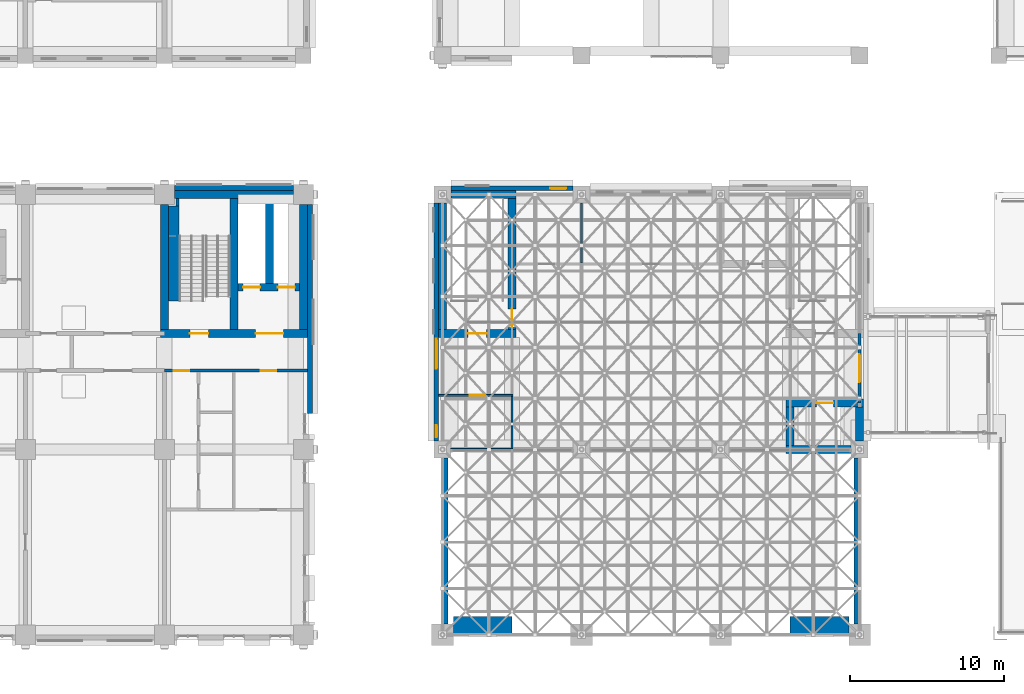
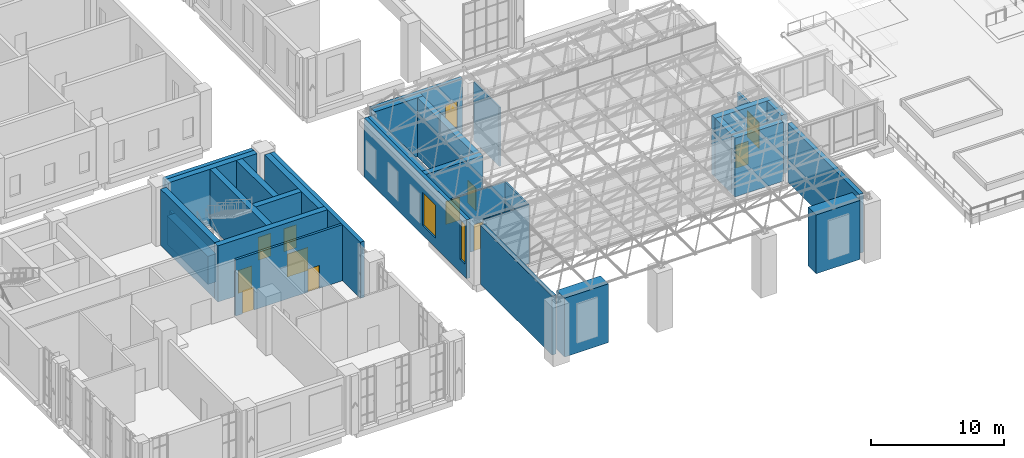
# One storey, part 27 of 53: 31 walls, 11 doors, 3 windows, 14 openings.
"""IFC4 building model written with IfcOpenShell, lengths in metres."""

from ifc_helpers import new_model, si_unit, direction, frame, frame_2d, origin, place, context, subcontext, project, spatial, rectangle, extrude, material, layer, layer_set, type_object, element, fill, save


model = new_model("IFC4")

# Units and contexts
model_context = context("Model", 3, precision=1e-05, world=origin(), true_north=direction((0.0, 1.0)))
body_context = subcontext(model_context, "Body", "Model", "MODEL_VIEW")
ifc_project = project(units=[si_unit("LENGTHUNIT", "METRE"), si_unit("AREAUNIT", "SQUARE_METRE"), si_unit("VOLUMEUNIT", "CUBIC_METRE"), si_unit("PLANEANGLEUNIT", "RADIAN"), si_unit("MASSUNIT", "GRAM", prefix="KILO")], contexts=[model_context])

# Site, building, storey
site_placement = place(None, origin())
site = spatial("IfcSite", under=ifc_project, at=site_placement, CompositionType="ELEMENT")
building_placement = place(site_placement, origin())
building = spatial("IfcBuilding", under=site, at=building_placement, Name="Aurelan Courthouse", CompositionType="ELEMENT")
storey_placement = place(building_placement, frame((0.0, 0.0, 12.0)))
storey = spatial("IfcBuildingStorey", under=building, at=storey_placement, Name="L02", CompositionType="ELEMENT", Elevation=12.0)

# Wall, opening, window
ifc_material_1 = material(Name="Limestone cladding", Category="masonry")
ifc_layer_1 = layer(ifc_material_1, 0.0849609375, Name="Facing")
ifc_material_2 = material(Name="Ventilated cavity")
ifc_layer_2 = layer(ifc_material_2, 0.02490234375, ventilated=True, Name="Ventilated cavity")
ifc_material_3 = material(Name="Mineral wool insulation")
ifc_layer_3 = layer(ifc_material_3, 0.044921875, Name="Insulation")
ifc_material_4 = material(Name="Concrete C30", Category="concrete")
ifc_layer_4 = layer(ifc_material_4, 0.14501953125, Name="Structure")
ifc_layer_set_1 = layer_set([ifc_layer_1, ifc_layer_2, ifc_layer_3, ifc_layer_4], Name="Concrete C30")
wall_type_1 = type_object("IfcWallType", Name="Ceremonial Court stone-faced wall 300", PredefinedType="SOLIDWALL", material=ifc_layer_set_1)
wall_1_placement = place(storey_placement, frame((36.550048828125, 28.89990234375, 0.0), z_axis=(0.0, 0.0, 1.0), x_axis=(1.0, 0.0, 0.0)))
wall_1 = element("IfcWall", 1, at=wall_1_placement, inside=storey, type_object=wall_type_1, Name="Facade wall FW-V1-L02-001", PredefinedType="SOLIDWALL", context=body_context, shape_type="SweptSolid", body=[
    extrude(rectangle(XDim=7.89990234375, YDim=0.300048828125, at=frame_2d((3.949951171875, 0.0))), origin(), (0.0, 0.0, 1.0), 5.39990234375),
])
opening_1_placement = place(wall_1_placement, frame((6.425048828125, 0.0, 1.050048828125)))
opening_1 = element("IfcOpeningElement", 2, at=opening_1_placement, cuts=wall_1, Name="Opening WN-V1-L02-001", PredefinedType="OPENING", context=body_context, shape_type="SweptSolid", body=[
    extrude(rectangle(XDim=1.050048828125, YDim=2.39990234375, at=frame_2d((0.52490234375, 1.199951171875))), frame((0.0, 0.159912109375, 0.0), z_axis=(0.0, -1.0, 0.0), x_axis=(1.0, 0.0, 0.0)), (0.0, 0.0, 1.0), 0.320068359375),
])
ifc_material_5 = material(Name="Bronze-finished aluminium and glass", Category="aluminium")
window_type_1 = type_object("IfcWindowType", Name="Ceremonial Court window 1050 x 2400, sill 1050", PartitioningType="SINGLE_PANEL", PredefinedType="WINDOW", material=ifc_material_5)
window_1_placement = place(opening_1_placement, origin())
window_1 = element("IfcWindow", 3, at=window_1_placement, inside=storey, type_object=window_type_1, Name="Window WN-V1-L02-001", OverallHeight=2.39990234375, OverallWidth=1.050048828125, PartitioningType="SINGLE_PANEL", PredefinedType="WINDOW", context=body_context, shape_type="SweptSolid", body=[
    extrude(rectangle(XDim=1.050048828125, YDim=2.39990234375, at=frame_2d((0.52490234375, 1.199951171875))), frame((0.0, 0.030029296875, 0.0), z_axis=(0.0, -1.0, 0.0), x_axis=(1.0, 0.0, 0.0)), (0.0, 0.0, 1.0), 0.06005859375),
])
fill(opening_1, window_1)

# Wall, openings, windows
wall_2_placement = place(storey_placement, frame((35.60009765625, 12.550048828125, 0.0), z_axis=(0.0, 0.0, 1.0), x_axis=(0.0, 1.0, 0.0)))
wall_2 = element("IfcWall", 4, at=wall_2_placement, inside=storey, type_object=wall_type_1, Name="Facade wall FW-V1-L02-005", PredefinedType="SOLIDWALL", context=body_context, shape_type="SweptSolid", body=[
    extrude(rectangle(XDim=15.39990234375, YDim=0.300048828125, at=frame_2d((7.699951171875, 0.0))), origin(), (0.0, 0.0, 1.0), 5.39990234375),
])
opening_2_placement = place(wall_2_placement, frame((4.66259765625, 0.0, 0.89990234375)))
opening_2 = element("IfcOpeningElement", 5, at=opening_2_placement, cuts=wall_2, Name="Opening WN-V1-L02-005", PredefinedType="OPENING", context=body_context, shape_type="SweptSolid", body=[
    extrude(rectangle(XDim=1.949951171875, YDim=3.0, at=frame_2d((0.97509765625, 1.5))), frame((0.0, 0.159912109375, 0.0), z_axis=(0.0, -1.0, 0.0), x_axis=(1.0, 0.0, 0.0)), (0.0, 0.0, 1.0), 0.320068359375),
])
opening_3_placement = place(wall_2_placement, frame((0.253662109375, 0.0, 1.199951171875)))
opening_3 = element("IfcOpeningElement", 6, at=opening_3_placement, cuts=wall_2, Name="Opening WN-V1-L02-006", PredefinedType="OPENING", context=body_context, shape_type="SweptSolid", body=[
    extrude(rectangle(XDim=0.75, YDim=3.60009765625, at=frame_2d((0.375, 1.800048828125))), frame((0.0, 0.159912109375, 0.0), z_axis=(0.0, -1.0, 0.0), x_axis=(1.0, 0.0, 0.0)), (0.0, 0.0, 1.0), 0.320068359375),
])
window_type_2 = type_object("IfcWindowType", Name="Ceremonial Court slit window 750 x 3600, sill 1200", PartitioningType="SINGLE_PANEL", PredefinedType="WINDOW", material=ifc_material_5)
window_2_placement = place(opening_3_placement, origin())
window_2 = element("IfcWindow", 7, at=window_2_placement, inside=storey, type_object=window_type_2, Name="Slit window WN-V1-L02-006", OverallHeight=3.60009765625, OverallWidth=0.75, PartitioningType="SINGLE_PANEL", PredefinedType="WINDOW", context=body_context, shape_type="SweptSolid", body=[
    extrude(rectangle(XDim=0.75, YDim=3.60009765625, at=frame_2d((0.375, 1.800048828125))), frame((0.0, 0.030029296875, 0.0), z_axis=(0.0, -1.0, 0.0), x_axis=(1.0, 0.0, 0.0)), (0.0, 0.0, 1.0), 0.06005859375),
])
fill(opening_3, window_2)
window_type_3 = type_object("IfcWindowType", Name="Ceremonial Court window 1950 x 3000, sill 900", PartitioningType="SINGLE_PANEL", PredefinedType="WINDOW", material=ifc_material_5)
window_3_placement = place(opening_2_placement, origin())
window_3 = element("IfcWindow", 8, at=window_3_placement, inside=storey, type_object=window_type_3, Name="Window WN-V1-L02-005", OverallHeight=3.0, OverallWidth=1.949951171875, PartitioningType="SINGLE_PANEL", PredefinedType="WINDOW", context=body_context, shape_type="SweptSolid", body=[
    extrude(rectangle(XDim=1.949951171875, YDim=3.0, at=frame_2d((0.97509765625, 1.5))), frame((0.0, 0.030029296875, 0.0), z_axis=(0.0, -1.0, 0.0), x_axis=(1.0, 0.0, 0.0)), (0.0, 0.0, 1.0), 0.06005859375),
])
fill(opening_2, window_3)

# Walls
ifc_layer_5 = layer(ifc_material_1, 0.10009765625, Name="Facing")
ifc_layer_6 = layer(ifc_material_2, 0.02490234375, ventilated=True, Name="Ventilated cavity")
ifc_layer_7 = layer(ifc_material_3, 0.050048828125, Name="Insulation")
ifc_layer_8 = layer(ifc_material_4, 0.175048828125, Name="Structure")
ifc_layer_set_2 = layer_set([ifc_layer_5, ifc_layer_6, ifc_layer_7, ifc_layer_8], Name="Concrete C30")
wall_type_2 = type_object("IfcWallType", Name="Courts' Floors stone-faced wall 350", PredefinedType="SOLIDWALL", material=ifc_layer_set_2)
wall_3_placement = place(storey_placement, frame((18.64990234375, 28.925048828125, 0.0), z_axis=(0.0, 0.0, 1.0), x_axis=(1.0, 0.0, 0.0)))
element("IfcWall", 9, at=wall_3_placement, inside=storey, type_object=wall_type_2, Name="Facade wall FW-V5-L02-011", PredefinedType="SOLIDWALL", context=body_context, shape_type="SweptSolid", body=[
    extrude(rectangle(XDim=7.7001953125, YDim=0.35009765625, at=frame_2d((3.85009765625, 0.0))), origin(), (0.0, 0.0, 1.0), 5.14990234375),
])
wall_4_placement = place(storey_placement, frame((27.425048828125, 14.324951171875, 0.0), z_axis=(0.0, 0.0, 1.0), x_axis=(0.0, 1.0, 0.0)))
element("IfcWall", 10, at=wall_4_placement, inside=storey, type_object=wall_type_2, Name="Facade wall FW-V5-L02-017", PredefinedType="SOLIDWALL", context=body_context, shape_type="SweptSolid", body=[
    extrude(rectangle(XDim=13.525146484375, YDim=0.35009765625, at=frame_2d((6.7626953125, 0.0))), origin(), (0.0, 0.0, 1.0), 5.14990234375),
])

# Wall, openings, doors
ifc_material_6 = material(Name="Masonry block", Category="masonry")
ifc_layer_9 = layer(ifc_material_6, 0.199951171875)
ifc_layer_set_3 = layer_set([ifc_layer_9], Name="Masonry block")
wall_type_3 = type_object("IfcWallType", Name="Lift lobby wall 200 EI 60", PredefinedType="PARTITIONING", material=ifc_layer_set_3)
wall_5_placement = place(storey_placement, frame((18.0, 17.10009765625, 0.0), z_axis=(0.0, 0.0, 1.0), x_axis=(1.0, 0.0, 0.0)))
wall_5 = element("IfcWall", 11, at=wall_5_placement, inside=storey, type_object=wall_type_3, Name="Lift lobby wall L02-012", PredefinedType="PARTITIONING", context=body_context, shape_type="SweptSolid", body=[
    extrude(rectangle(XDim=9.25, YDim=0.199951171875, at=frame_2d((4.625, 0.0))), origin(), (0.0, 0.0, 1.0), 5.14990234375),
])
opening_4_placement = place(wall_5_placement, frame((7.25, 0.0, 0.0), z_axis=(0.0, 0.0, 1.0), x_axis=(-1.0, 0.0, 0.0)))
opening_4 = element("IfcOpeningElement", 12, at=opening_4_placement, cuts=wall_5, Name="Opening D-L02-067", PredefinedType="OPENING", context=body_context, shape_type="SweptSolid", body=[
    extrude(rectangle(XDim=1.0, YDim=2.10009765625, at=frame_2d((0.5, 1.050048828125))), frame((0.0, 0.10986328125, 0.0), z_axis=(0.0, -1.0, 0.0), x_axis=(1.0, 0.0, 0.0)), (0.0, 0.0, 1.0), 0.219970703125),
])
opening_5_placement = place(wall_5_placement, frame((0.60009765625, 0.0, 0.0)))
opening_5 = element("IfcOpeningElement", 13, at=opening_5_placement, cuts=wall_5, Name="Opening D-L02-068", PredefinedType="OPENING", context=body_context, shape_type="SweptSolid", body=[
    extrude(rectangle(XDim=1.0, YDim=2.10009765625, at=frame_2d((0.5, 1.050048828125))), frame((0.0, 0.10986328125, 0.0), z_axis=(0.0, -1.0, 0.0), x_axis=(1.0, 0.0, 0.0)), (0.0, 0.0, 1.0), 0.219970703125),
])
ifc_material_7 = material(Name="Steel", Category="steel")
door_type_1 = type_object("IfcDoorType", Name="Single door 1000 x 2100 FD60", OperationType="SINGLE_SWING_LEFT", PredefinedType="DOOR", material=ifc_material_7)
door_1_placement = place(opening_4_placement, origin())
door_1 = element("IfcDoor", 14, at=door_1_placement, inside=storey, type_object=door_type_1, Name="Single door D-L02-067", OperationType="SINGLE_SWING_RIGHT", OverallHeight=2.10009765625, OverallWidth=1.0, PredefinedType="DOOR", context=body_context, shape_type="SweptSolid", body=[
    extrude(rectangle(XDim=1.0, YDim=2.10009765625, at=frame_2d((0.5, 1.050048828125))), frame((0.0, 0.02490234375, 0.0), z_axis=(0.0, -1.0, 0.0), x_axis=(1.0, 0.0, 0.0)), (0.0, 0.0, 1.0), 0.050048828125),
])
fill(opening_4, door_1)
door_2_placement = place(opening_5_placement, origin())
door_2 = element("IfcDoor", 15, at=door_2_placement, inside=storey, type_object=door_type_1, Name="Single door D-L02-068", OperationType="SINGLE_SWING_LEFT", OverallHeight=2.10009765625, OverallWidth=1.0, PredefinedType="DOOR", context=body_context, shape_type="SweptSolid", body=[
    extrude(rectangle(XDim=1.0, YDim=2.10009765625, at=frame_2d((0.5, 1.050048828125))), frame((0.0, 0.02490234375, 0.0), z_axis=(0.0, -1.0, 0.0), x_axis=(1.0, 0.0, 0.0)), (0.0, 0.0, 1.0), 0.050048828125),
])
fill(opening_5, door_2)

# Wall
ifc_material_8 = material(Name="Gypsum board on metal studs")
ifc_layer_10 = layer(ifc_material_8, 0.14990234375)
ifc_layer_set_4 = layer_set([ifc_layer_10], Name="Gypsum board on metal studs")
wall_type_4 = type_object("IfcWallType", Name="Partition 150 NOT RATED", PredefinedType="PARTITIONING", material=ifc_layer_set_4)
wall_6_placement = place(storey_placement, frame((45.0, 24.074951171875, 0.0), z_axis=(0.0, 0.0, 1.0), x_axis=(0.0, 1.0, 0.0)))
element("IfcWall", 16, at=wall_6_placement, inside=storey, type_object=wall_type_4, Name="Partition L02-069", PredefinedType="PARTITIONING", context=body_context, shape_type="SweptSolid", body=[
    extrude(rectangle(XDim=3.875, YDim=0.14990234375, at=frame_2d((1.9375, 0.0))), origin(), (0.0, 0.0, 1.0), 5.39990234375),
])

# Wall, opening, door
ifc_layer_11 = layer(ifc_material_6, 0.199951171875)
ifc_layer_set_5 = layer_set([ifc_layer_11], Name="Masonry block")
wall_type_5 = type_object("IfcWallType", Name="Passage lobby wall 200 EI 60", PredefinedType="PARTITIONING", material=ifc_layer_set_5)
wall_7_placement = place(storey_placement, frame((63.0, 15.0, 0.0), z_axis=(0.0, 0.0, 1.0), x_axis=(0.0, 1.0, 0.0)))
wall_7 = element("IfcWall", 17, at=wall_7_placement, inside=storey, type_object=wall_type_5, Name="Passage lobby wall L02-074", PredefinedType="PARTITIONING", context=body_context, shape_type="SweptSolid", body=[
    extrude(rectangle(XDim=4.5, YDim=0.199951171875, at=frame_2d((2.25, 0.0))), origin(), (0.0, 0.0, 1.0), 3.300048828125),
])
opening_6_placement = place(wall_7_placement, frame((1.35009765625, 0.0, 0.0)))
opening_6 = element("IfcOpeningElement", 18, at=opening_6_placement, cuts=wall_7, Name="Opening D-L02-093", PredefinedType="OPENING", context=body_context, shape_type="SweptSolid", body=[
    extrude(rectangle(XDim=1.800048828125, YDim=2.39990234375, at=frame_2d((0.89990234375, 1.199951171875))), frame((0.0, 0.10986328125, 0.0), z_axis=(0.0, -1.0, 0.0), x_axis=(1.0, 0.0, 0.0)), (0.0, 0.0, 1.0), 0.219970703125),
])
door_type_2 = type_object("IfcDoorType", Name="Double door 1800 x 2400 FD60", OperationType="DOUBLE_DOOR_SINGLE_SWING", PredefinedType="DOOR", material=ifc_material_7)
door_3_placement = place(opening_6_placement, origin())
door_3 = element("IfcDoor", 19, at=door_3_placement, inside=storey, type_object=door_type_2, Name="Double door D-L02-093", OperationType="DOUBLE_DOOR_SINGLE_SWING", OverallHeight=2.39990234375, OverallWidth=1.800048828125, PredefinedType="DOOR", context=body_context, shape_type="SweptSolid", body=[
    extrude(rectangle(XDim=1.800048828125, YDim=2.39990234375, at=frame_2d((0.89990234375, 1.199951171875))), frame((0.0, 0.02490234375, 0.0), z_axis=(0.0, -1.0, 0.0), x_axis=(1.0, 0.0, 0.0)), (0.0, 0.0, 1.0), 0.050048828125),
])
fill(opening_6, door_3)

# Walls
ifc_material_9 = material(Name="Concrete C50", Category="concrete")
ifc_layer_12 = layer(ifc_material_9, 0.5)
ifc_layer_set_6 = layer_set([ifc_layer_12], Name="Concrete C50")
wall_type_6 = type_object("IfcWallType", Name="RC shear wall 500", PredefinedType="SHEAR", material=ifc_layer_set_6)
wall_8_placement = place(storey_placement, frame((58.25, 12.0, 0.0), z_axis=(0.0, 0.0, 1.0), x_axis=(1.0, 0.0, 0.0)))
element("IfcWall", 20, at=wall_8_placement, inside=storey, type_object=wall_type_6, Name="Core wall SW-L02-001", PredefinedType="SHEAR", context=body_context, shape_type="SweptSolid", body=[
    extrude(rectangle(XDim=4.199951171875, YDim=0.5, at=frame_2d((2.10009765625, 0.0))), origin(), (0.0, 0.0, 1.0), 5.39990234375),
])
wall_9_placement = place(storey_placement, frame((58.5, 12.25, 0.0), z_axis=(0.0, 0.0, 1.0), x_axis=(0.0, 1.0, 0.0)))
element("IfcWall", 21, at=wall_9_placement, inside=storey, type_object=wall_type_6, Name="Core wall SW-L02-002", PredefinedType="SHEAR", context=body_context, shape_type="SweptSolid", body=[
    extrude(rectangle(XDim=2.5, YDim=0.5, at=frame_2d((1.25, 0.0))), origin(), (0.0, 0.0, 1.0), 5.39990234375),
])
wall_10_placement = place(storey_placement, frame((63.0, 12.550048828125, 0.0), z_axis=(0.0, 0.0, 1.0), x_axis=(0.0, 1.0, 0.0)))
element("IfcWall", 22, at=wall_10_placement, inside=storey, type_object=wall_type_6, Name="Core wall SW-L02-003", PredefinedType="SHEAR", context=body_context, shape_type="SweptSolid", body=[
    extrude(rectangle(XDim=2.199951171875, YDim=0.5, at=frame_2d((1.10009765625, 0.0))), origin(), (0.0, 0.0, 1.0), 5.39990234375),
])

# Wall, opening, door
wall_11_placement = place(storey_placement, frame((58.25, 15.0, 0.0), z_axis=(0.0, 0.0, 1.0), x_axis=(1.0, 0.0, 0.0)))
wall_11 = element("IfcWall", 23, at=wall_11_placement, inside=storey, type_object=wall_type_6, Name="Core wall SW-L02-004", PredefinedType="SHEAR", context=body_context, shape_type="SweptSolid", body=[
    extrude(rectangle(XDim=5.0, YDim=0.5, at=frame_2d((2.5, 0.0))), origin(), (0.0, 0.0, 1.0), 5.39990234375),
])
opening_7_placement = place(wall_11_placement, frame((1.949951171875, 0.0, 0.0)))
opening_7 = element("IfcOpeningElement", 24, at=opening_7_placement, cuts=wall_11, Name="Opening LD-V1-A1-L02", PredefinedType="OPENING", context=body_context, shape_type="SweptSolid", body=[
    extrude(rectangle(XDim=1.10009765625, YDim=2.10009765625, at=frame_2d((0.550048828125, 1.050048828125))), frame((0.0, 0.260009765625, 0.0), z_axis=(0.0, -1.0, 0.0), x_axis=(1.0, 0.0, 0.0)), (0.0, 0.0, 1.0), 0.52001953125),
])
door_type_3 = type_object("IfcDoorType", Name="Lift landing door 1100 x 2100 FD90", OperationType="SLIDING_TO_LEFT", PredefinedType="DOOR", material=ifc_material_7)
door_4_placement = place(opening_7_placement, origin())
door_4 = element("IfcDoor", 25, at=door_4_placement, inside=storey, type_object=door_type_3, Name="Lift landing door LD-V1-A1-L02", OperationType="SLIDING_TO_LEFT", OverallHeight=2.10009765625, OverallWidth=1.10009765625, PredefinedType="DOOR", context=body_context, shape_type="SweptSolid", body=[
    extrude(rectangle(XDim=1.10009765625, YDim=2.10009765625, at=frame_2d((0.550048828125, 1.050048828125))), frame((0.0, 0.02490234375, 0.0), z_axis=(0.0, -1.0, 0.0), x_axis=(1.0, 0.0, 0.0)), (0.0, 0.0, 1.0), 0.050048828125),
])
fill(opening_7, door_4)

# Wall, openings, doors
wall_12_placement = place(storey_placement, frame((17.75, 19.5, 0.0), z_axis=(0.0, 0.0, 1.0), x_axis=(1.0, 0.0, 0.0)))
wall_12 = element("IfcWall", 26, at=wall_12_placement, inside=storey, type_object=wall_type_6, Name="Core wall SW-L02-006", PredefinedType="SHEAR", context=body_context, shape_type="SweptSolid", body=[
    extrude(rectangle(XDim=9.5, YDim=0.5, at=frame_2d((4.75, 0.0))), origin(), (0.0, 0.0, 1.0), 5.14990234375),
])
opening_8_placement = place(wall_12_placement, frame((1.89990234375, 0.0, 0.0)))
opening_8 = element("IfcOpeningElement", 27, at=opening_8_placement, cuts=wall_12, Name="Opening D-L02-055", PredefinedType="OPENING", context=body_context, shape_type="SweptSolid", body=[
    extrude(rectangle(XDim=1.199951171875, YDim=2.10009765625, at=frame_2d((0.60009765625, 1.050048828125))), frame((0.0, 0.260009765625, 0.0), z_axis=(0.0, -1.0, 0.0), x_axis=(1.0, 0.0, 0.0)), (0.0, 0.0, 1.0), 0.52001953125),
])
opening_9_placement = place(wall_12_placement, frame((7.949951171875, 0.0, 0.0), z_axis=(0.0, 0.0, 1.0), x_axis=(-1.0, 0.0, 0.0)))
opening_9 = element("IfcOpeningElement", 28, at=opening_9_placement, cuts=wall_12, Name="Opening D-L02-056", PredefinedType="OPENING", context=body_context, shape_type="SweptSolid", body=[
    extrude(rectangle(XDim=1.800048828125, YDim=2.10009765625, at=frame_2d((0.89990234375, 1.050048828125))), frame((0.0, 0.260009765625, 0.0), z_axis=(0.0, -1.0, 0.0), x_axis=(1.0, 0.0, 0.0)), (0.0, 0.0, 1.0), 0.52001953125),
])
door_type_4 = type_object("IfcDoorType", Name="Double door 1800 x 2100 FD90", OperationType="DOUBLE_DOOR_SINGLE_SWING", PredefinedType="DOOR", material=ifc_material_7)
door_5_placement = place(opening_9_placement, origin())
door_5 = element("IfcDoor", 29, at=door_5_placement, inside=storey, type_object=door_type_4, Name="Double door D-L02-056", OperationType="DOUBLE_DOOR_SINGLE_SWING", OverallHeight=2.10009765625, OverallWidth=1.800048828125, PredefinedType="DOOR", context=body_context, shape_type="SweptSolid", body=[
    extrude(rectangle(XDim=1.800048828125, YDim=2.10009765625, at=frame_2d((0.89990234375, 1.050048828125))), frame((0.0, 0.02490234375, 0.0), z_axis=(0.0, -1.0, 0.0), x_axis=(1.0, 0.0, 0.0)), (0.0, 0.0, 1.0), 0.050048828125),
])
fill(opening_9, door_5)
door_type_5 = type_object("IfcDoorType", Name="Single door 1200 x 2100 FD90", OperationType="SINGLE_SWING_LEFT", PredefinedType="DOOR", material=ifc_material_7)
door_6_placement = place(opening_8_placement, origin())
door_6 = element("IfcDoor", 30, at=door_6_placement, inside=storey, type_object=door_type_5, Name="Single door D-L02-055", OperationType="SINGLE_SWING_RIGHT", OverallHeight=2.10009765625, OverallWidth=1.199951171875, PredefinedType="DOOR", context=body_context, shape_type="SweptSolid", body=[
    extrude(rectangle(XDim=1.199951171875, YDim=2.10009765625, at=frame_2d((0.60009765625, 1.050048828125))), frame((0.0, 0.02490234375, 0.0), z_axis=(0.0, -1.0, 0.0), x_axis=(1.0, 0.0, 0.0)), (0.0, 0.0, 1.0), 0.050048828125),
])
fill(opening_8, door_6)

# Wall, opening, door
wall_13_placement = place(storey_placement, frame((35.75, 19.5, 0.0), z_axis=(0.0, 0.0, 1.0), x_axis=(1.0, 0.0, 0.0)))
wall_13 = element("IfcWall", 31, at=wall_13_placement, inside=storey, type_object=wall_type_6, Name="Core wall SW-L02-007", PredefinedType="SHEAR", context=body_context, shape_type="SweptSolid", body=[
    extrude(rectangle(XDim=5.0, YDim=0.5, at=frame_2d((2.5, 0.0))), origin(), (0.0, 0.0, 1.0), 5.39990234375),
])
opening_10_placement = place(wall_13_placement, frame((1.89990234375, 0.0, 0.0)))
opening_10 = element("IfcOpeningElement", 32, at=opening_10_placement, cuts=wall_13, Name="Opening D-L02-001", PredefinedType="OPENING", context=body_context, shape_type="SweptSolid", body=[
    extrude(rectangle(XDim=1.199951171875, YDim=2.10009765625, at=frame_2d((0.60009765625, 1.050048828125))), frame((0.0, 0.260009765625, 0.0), z_axis=(0.0, -1.0, 0.0), x_axis=(1.0, 0.0, 0.0)), (0.0, 0.0, 1.0), 0.52001953125),
])
door_7_placement = place(opening_10_placement, origin())
door_7 = element("IfcDoor", 33, at=door_7_placement, inside=storey, type_object=door_type_5, Name="Single door D-L02-001", OperationType="SINGLE_SWING_RIGHT", OverallHeight=2.10009765625, OverallWidth=1.199951171875, PredefinedType="DOOR", context=body_context, shape_type="SweptSolid", body=[
    extrude(rectangle(XDim=1.199951171875, YDim=2.10009765625, at=frame_2d((0.60009765625, 1.050048828125))), frame((0.0, 0.02490234375, 0.0), z_axis=(0.0, -1.0, 0.0), x_axis=(1.0, 0.0, 0.0)), (0.0, 0.0, 1.0), 0.050048828125),
])
fill(opening_10, door_7)

# Walls
wall_14_placement = place(storey_placement, frame((18.0, 19.75, 0.0), z_axis=(0.0, 0.0, 1.0), x_axis=(0.0, 1.0, 0.0)))
element("IfcWall", 34, at=wall_14_placement, inside=storey, type_object=wall_type_6, Name="Core wall SW-L02-012", PredefinedType="SHEAR", context=body_context, shape_type="SweptSolid", body=[
    extrude(rectangle(XDim=8.10009765625, YDim=0.5, at=frame_2d((4.050048828125, 0.0))), origin(), (0.0, 0.0, 1.0), 5.14990234375),
])
wall_15_placement = place(storey_placement, frame((22.5, 19.75, 0.0), z_axis=(0.0, 0.0, 1.0), x_axis=(0.0, 1.0, 0.0)))
element("IfcWall", 35, at=wall_15_placement, inside=storey, type_object=wall_type_6, Name="Core wall SW-L02-013", PredefinedType="SHEAR", context=body_context, shape_type="SweptSolid", body=[
    extrude(rectangle(XDim=8.5, YDim=0.5, at=frame_2d((4.25, 0.0))), origin(), (0.0, 0.0, 1.0), 5.14990234375),
])
wall_16_placement = place(storey_placement, frame((27.0, 19.75, 0.0), z_axis=(0.0, 0.0, 1.0), x_axis=(0.0, 1.0, 0.0)))
element("IfcWall", 36, at=wall_16_placement, inside=storey, type_object=wall_type_6, Name="Core wall SW-L02-014", PredefinedType="SHEAR", context=body_context, shape_type="SweptSolid", body=[
    extrude(rectangle(XDim=8.10009765625, YDim=0.5, at=frame_2d((4.050048828125, 0.0))), origin(), (0.0, 0.0, 1.0), 5.14990234375),
])
wall_17_placement = place(storey_placement, frame((36.0, 19.75, 0.0), z_axis=(0.0, 0.0, 1.0), x_axis=(0.0, 1.0, 0.0)))
element("IfcWall", 37, at=wall_17_placement, inside=storey, type_object=wall_type_6, Name="Core wall SW-L02-015", PredefinedType="SHEAR", context=body_context, shape_type="SweptSolid", body=[
    extrude(rectangle(XDim=8.199951171875, YDim=0.5, at=frame_2d((4.10009765625, 0.0))), origin(), (0.0, 0.0, 1.0), 5.39990234375),
])

# Wall, opening, door
wall_18_placement = place(storey_placement, frame((40.5, 19.75, 0.0), z_axis=(0.0, 0.0, 1.0), x_axis=(0.0, 1.0, 0.0)))
wall_18 = element("IfcWall", 38, at=wall_18_placement, inside=storey, type_object=wall_type_6, Name="Core wall SW-L02-016", PredefinedType="SHEAR", context=body_context, shape_type="SweptSolid", body=[
    extrude(rectangle(XDim=8.5, YDim=0.5, at=frame_2d((4.25, 0.0))), origin(), (0.0, 0.0, 1.0), 5.39990234375),
])
opening_11_placement = place(wall_18_placement, frame((0.14990234375, 0.0, 0.0)))
opening_11 = element("IfcOpeningElement", 39, at=opening_11_placement, cuts=wall_18, Name="Opening D-L02-003", PredefinedType="OPENING", context=body_context, shape_type="SweptSolid", body=[
    extrude(rectangle(XDim=1.199951171875, YDim=2.10009765625, at=frame_2d((0.60009765625, 1.050048828125))), frame((0.0, 0.260009765625, 0.0), z_axis=(0.0, -1.0, 0.0), x_axis=(1.0, 0.0, 0.0)), (0.0, 0.0, 1.0), 0.52001953125),
])
door_8_placement = place(opening_11_placement, origin())
door_8 = element("IfcDoor", 40, at=door_8_placement, inside=storey, type_object=door_type_5, Name="Single door D-L02-003", OperationType="SINGLE_SWING_LEFT", OverallHeight=2.10009765625, OverallWidth=1.199951171875, PredefinedType="DOOR", context=body_context, shape_type="SweptSolid", body=[
    extrude(rectangle(XDim=1.199951171875, YDim=2.10009765625, at=frame_2d((0.60009765625, 1.050048828125))), frame((0.0, 0.02490234375, 0.0), z_axis=(0.0, -1.0, 0.0), x_axis=(1.0, 0.0, 0.0)), (0.0, 0.0, 1.0), 0.050048828125),
])
fill(opening_11, door_8)

# Wall, openings, doors
wall_19_placement = place(storey_placement, frame((22.75, 22.5, 0.0), z_axis=(0.0, 0.0, 1.0), x_axis=(1.0, 0.0, 0.0)))
wall_19 = element("IfcWall", 41, at=wall_19_placement, inside=storey, type_object=wall_type_6, Name="Core wall SW-L02-019", PredefinedType="SHEAR", context=body_context, shape_type="SweptSolid", body=[
    extrude(rectangle(XDim=4.0, YDim=0.5, at=frame_2d((2.0, 0.0))), origin(), (0.0, 0.0, 1.0), 5.14990234375),
])
opening_12_placement = place(wall_19_placement, frame((0.35009765625, 0.0, 0.0)))
opening_12 = element("IfcOpeningElement", 42, at=opening_12_placement, cuts=wall_19, Name="Opening LD-V5-P1-L02", PredefinedType="OPENING", context=body_context, shape_type="SweptSolid", body=[
    extrude(rectangle(XDim=1.10009765625, YDim=2.10009765625, at=frame_2d((0.550048828125, 1.050048828125))), frame((0.0, 0.260009765625, 0.0), z_axis=(0.0, -1.0, 0.0), x_axis=(1.0, 0.0, 0.0)), (0.0, 0.0, 1.0), 0.52001953125),
])
opening_13_placement = place(wall_19_placement, frame((2.60009765625, 0.0, 0.0)))
opening_13 = element("IfcOpeningElement", 43, at=opening_13_placement, cuts=wall_19, Name="Opening LD-V5-P2-L02", PredefinedType="OPENING", context=body_context, shape_type="SweptSolid", body=[
    extrude(rectangle(XDim=1.10009765625, YDim=2.10009765625, at=frame_2d((0.550048828125, 1.050048828125))), frame((0.0, 0.260009765625, 0.0), z_axis=(0.0, -1.0, 0.0), x_axis=(1.0, 0.0, 0.0)), (0.0, 0.0, 1.0), 0.52001953125),
])
door_9_placement = place(opening_12_placement, origin())
door_9 = element("IfcDoor", 44, at=door_9_placement, inside=storey, type_object=door_type_3, Name="Lift landing door LD-V5-P1-L02", OperationType="SLIDING_TO_LEFT", OverallHeight=2.10009765625, OverallWidth=1.10009765625, PredefinedType="DOOR", context=body_context, shape_type="SweptSolid", body=[
    extrude(rectangle(XDim=1.10009765625, YDim=2.10009765625, at=frame_2d((0.550048828125, 1.050048828125))), frame((0.0, 0.02490234375, 0.0), z_axis=(0.0, -1.0, 0.0), x_axis=(1.0, 0.0, 0.0)), (0.0, 0.0, 1.0), 0.050048828125),
])
fill(opening_12, door_9)
door_10_placement = place(opening_13_placement, origin())
door_10 = element("IfcDoor", 45, at=door_10_placement, inside=storey, type_object=door_type_3, Name="Lift landing door LD-V5-P2-L02", OperationType="SLIDING_TO_LEFT", OverallHeight=2.10009765625, OverallWidth=1.10009765625, PredefinedType="DOOR", context=body_context, shape_type="SweptSolid", body=[
    extrude(rectangle(XDim=1.10009765625, YDim=2.10009765625, at=frame_2d((0.550048828125, 1.050048828125))), frame((0.0, 0.02490234375, 0.0), z_axis=(0.0, -1.0, 0.0), x_axis=(1.0, 0.0, 0.0)), (0.0, 0.0, 1.0), 0.050048828125),
])
fill(opening_13, door_10)

# Walls
wall_20_placement = place(storey_placement, frame((24.800048828125, 22.75, 0.0), z_axis=(0.0, 0.0, 1.0), x_axis=(0.0, 1.0, 0.0)))
element("IfcWall", 46, at=wall_20_placement, inside=storey, type_object=wall_type_6, Name="Core wall SW-L02-020", PredefinedType="SHEAR", context=body_context, shape_type="SweptSolid", body=[
    extrude(rectangle(XDim=5.5, YDim=0.5, at=frame_2d((2.75, 0.0))), origin(), (0.0, 0.0, 1.0), 5.14990234375),
])
wall_21_placement = place(storey_placement, frame((18.64990234375, 28.5, 0.0), z_axis=(0.0, 0.0, 1.0), x_axis=(1.0, 0.0, 0.0)))
element("IfcWall", 47, at=wall_21_placement, inside=storey, type_object=wall_type_6, Name="Core wall SW-L02-025", PredefinedType="SHEAR", context=body_context, shape_type="SweptSolid", body=[
    extrude(rectangle(XDim=7.7001953125, YDim=0.5, at=frame_2d((3.85009765625, 0.0))), origin(), (0.0, 0.0, 1.0), 5.14990234375),
])
wall_22_placement = place(storey_placement, frame((36.550048828125, 28.5, 0.0), z_axis=(0.0, 0.0, 1.0), x_axis=(1.0, 0.0, 0.0)))
element("IfcWall", 48, at=wall_22_placement, inside=storey, type_object=wall_type_6, Name="Core wall SW-L02-026", PredefinedType="SHEAR", context=body_context, shape_type="SweptSolid", body=[
    extrude(rectangle(XDim=4.199951171875, YDim=0.5, at=frame_2d((2.10009765625, 0.0))), origin(), (0.0, 0.0, 1.0), 5.39990234375),
])
ifc_layer_13 = layer(ifc_material_4, 0.199951171875)
ifc_layer_set_7 = layer_set([ifc_layer_13], Name="Concrete C30")
wall_type_7 = type_object("IfcWallType", Name="Stair well wall 200 EI 120 load-bearing", PredefinedType="SHEAR", material=ifc_layer_set_7)
wall_23_placement = place(storey_placement, frame((18.85009765625, 27.75, 0.0), z_axis=(0.0, 0.0, 1.0), x_axis=(0.0, 1.0, 0.0)))
element("IfcWall", 49, at=wall_23_placement, inside=storey, type_object=wall_type_7, Name="Stair well wall ST-5A-L02 A2", PredefinedType="SHEAR", context=body_context, shape_type="SweptSolid", body=[
    extrude(rectangle(XDim=0.5, YDim=0.199951171875, at=frame_2d((0.25, 0.0))), origin(), (0.0, 0.0, 1.0), 2.587158203125),
])
ifc_layer_14 = layer(ifc_material_4, 0.699951171875)
ifc_layer_set_8 = layer_set([ifc_layer_14], Name="Concrete C30")
wall_type_8 = type_object("IfcWallType", Name="Stair well wall 700 EI 120 load-bearing", PredefinedType="SHEAR", material=ifc_layer_set_8)
wall_24_placement = place(storey_placement, frame((18.60009765625, 21.610107421875, 0.0), z_axis=(0.0, 0.0, 1.0), x_axis=(0.0, 1.0, 0.0)))
element("IfcWall", 50, at=wall_24_placement, inside=storey, type_object=wall_type_8, Name="Stair well wall ST-5A-L02 A", PredefinedType="SHEAR", context=body_context, shape_type="SweptSolid", body=[
    extrude(rectangle(XDim=6.139892578125, YDim=0.699951171875, at=frame_2d((3.06982421875, 0.0))), origin(), (0.0, 0.0, 1.0), 2.587158203125),
])
ifc_layer_15 = layer(ifc_material_1, 0.344970703125, Name="Facing")
ifc_layer_16 = layer(ifc_material_2, 0.02490234375, ventilated=True, Name="Ventilated cavity")
ifc_layer_17 = layer(ifc_material_3, 0.169921875, Name="Insulation")
ifc_layer_18 = layer(ifc_material_4, 0.659912109375, Name="Structure")
ifc_layer_set_9 = layer_set([ifc_layer_15, ifc_layer_16, ifc_layer_17, ifc_layer_18], Name="Concrete C30")
wall_type_9 = type_object("IfcWallType", Name="Stone-faced wall 1200", PredefinedType="SOLIDWALL", material=ifc_layer_set_9)
for number, where, z_axis, x_axis, name in (
    (51, (36.699951171875, 0.60009765625, 0.0), (0.0, 0.0, 1.0), (1.0, 0.0, 0.0), "Loggia pylon FW-V1-L02-008"),
    (52, (58.5, 0.60009765625, 0.0), (0.0, 0.0, 1.0), (1.0, 0.0, 0.0), "Loggia pylon FW-V1-L02-009"),
):
    element("IfcWall", number, at=place(storey_placement, frame(where, z_axis=z_axis, x_axis=x_axis)), inside=storey, type_object=wall_type_9, Name=name, PredefinedType="SOLIDWALL", context=body_context, shape_type="SweptSolid", body=[
        extrude(rectangle(XDim=3.800048828125, YDim=1.199951171875, at=frame_2d((1.89990234375, 0.0))), origin(), (0.0, 0.0, 1.0), 5.39990234375),
    ])
ifc_layer_19 = layer(ifc_material_1, 0.10009765625, Name="Facing")
ifc_layer_20 = layer(ifc_material_2, 0.02490234375, ventilated=True, Name="Ventilated cavity")
ifc_layer_21 = layer(ifc_material_3, 0.050048828125, Name="Insulation")
ifc_layer_22 = layer(ifc_material_4, 0.175048828125, Name="Structure")
ifc_layer_set_10 = layer_set([ifc_layer_19, ifc_layer_20, ifc_layer_21, ifc_layer_22], Name="Concrete C30")
wall_type_10 = type_object("IfcWallType", Name="Stone-faced wall 350", PredefinedType="SOLIDWALL", material=ifc_layer_set_10)
for number, where, z_axis, x_axis, name in (
    (53, (36.175048828125, 0.699951171875, 0.0), (0.0, 0.0, 1.0), (0.0, 1.0, 0.0), "Loggia side wall FW-V1-L02-006"),
    (54, (62.824951171875, 0.699951171875, 0.0), (0.0, 0.0, 1.0), (0.0, 1.0, 0.0), "Loggia side wall FW-V1-L02-007"),
):
    element("IfcWall", number, at=place(storey_placement, frame(where, z_axis=z_axis, x_axis=x_axis)), inside=storey, type_object=wall_type_10, Name=name, PredefinedType="SOLIDWALL", context=body_context, shape_type="SweptSolid", body=[
        extrude(rectangle(XDim=10.75, YDim=0.35009765625, at=frame_2d((5.375, 0.0))), origin(), (0.0, 0.0, 1.0), 5.39990234375),
    ])
ifc_material_10 = material(Name="Moisture-resistant board on metal studs")
ifc_layer_23 = layer(ifc_material_10, 0.125)
ifc_layer_set_11 = layer_set([ifc_layer_23], Name="Moisture-resistant board on metal studs")
wall_type_11 = type_object("IfcWallType", Name="Wet-area partition 125 NOT RATED", PredefinedType="PARTITIONING", material=ifc_layer_set_11)
wall_25_placement = place(storey_placement, frame((36.550048828125, 12.0, 0.0), z_axis=(0.0, 0.0, 1.0), x_axis=(1.0, 0.0, 0.0)))
element("IfcWall", 55, at=wall_25_placement, inside=storey, type_object=wall_type_11, Name="Wet-area partition L02-007", PredefinedType="PARTITIONING", context=body_context, shape_type="SweptSolid", body=[
    extrude(rectangle(XDim=4.012451171875, YDim=0.125, at=frame_2d((2.00634765625, 0.0))), origin(), (0.0, 0.0, 1.0), 5.39990234375),
])

# Wall, opening, door
wall_26_placement = place(storey_placement, frame((35.75, 15.5, 0.0), z_axis=(0.0, 0.0, 1.0), x_axis=(1.0, 0.0, 0.0)))
wall_26 = element("IfcWall", 56, at=wall_26_placement, inside=storey, type_object=wall_type_11, Name="Wet-area partition L02-009", PredefinedType="PARTITIONING", context=body_context, shape_type="SweptSolid", body=[
    extrude(rectangle(XDim=4.8125, YDim=0.125, at=frame_2d((2.40625, 0.0))), origin(), (0.0, 0.0, 1.0), 5.39990234375),
])
opening_14_placement = place(wall_26_placement, frame((2.0, 0.0, 0.0)))
opening_14 = element("IfcOpeningElement", 57, at=opening_14_placement, cuts=wall_26, Name="Opening D-L02-002", PredefinedType="OPENING", context=body_context, shape_type="SweptSolid", body=[
    extrude(rectangle(XDim=1.0, YDim=2.39990234375, at=frame_2d((0.5, 1.199951171875))), frame((0.0, 0.072509765625, 0.0), z_axis=(0.0, -1.0, 0.0), x_axis=(1.0, 0.0, 0.0)), (0.0, 0.0, 1.0), 0.14501953125),
])
ifc_material_11 = material(Name="Timber", Category="wood")
door_type_6 = type_object("IfcDoorType", Name="Single door 1000 x 2400 NOT RATED", OperationType="SINGLE_SWING_LEFT", PredefinedType="DOOR", material=ifc_material_11)
door_11_placement = place(opening_14_placement, origin())
door_11 = element("IfcDoor", 58, at=door_11_placement, inside=storey, type_object=door_type_6, Name="Single door D-L02-002", OperationType="SINGLE_SWING_LEFT", OverallHeight=2.39990234375, OverallWidth=1.0, PredefinedType="DOOR", context=body_context, shape_type="SweptSolid", body=[
    extrude(rectangle(XDim=1.0, YDim=2.39990234375, at=frame_2d((0.5, 1.199951171875))), frame((0.0, 0.02490234375, 0.0), z_axis=(0.0, -1.0, 0.0), x_axis=(1.0, 0.0, 0.0)), (0.0, 0.0, 1.0), 0.050048828125),
])
fill(opening_14, door_11)

# Wall
wall_27_placement = place(storey_placement, frame((40.5, 12.0625, 0.0), z_axis=(0.0, 0.0, 1.0), x_axis=(0.0, 1.0, 0.0)))
element("IfcWall", 59, at=wall_27_placement, inside=storey, type_object=wall_type_11, Name="Wet-area partition L02-067", PredefinedType="PARTITIONING", context=body_context, shape_type="SweptSolid", body=[
    extrude(rectangle(XDim=3.375, YDim=0.125, at=frame_2d((1.6875, 0.0))), origin(), (0.0, 0.0, 1.0), 5.39990234375),
])

save(model, "model.ifc")
